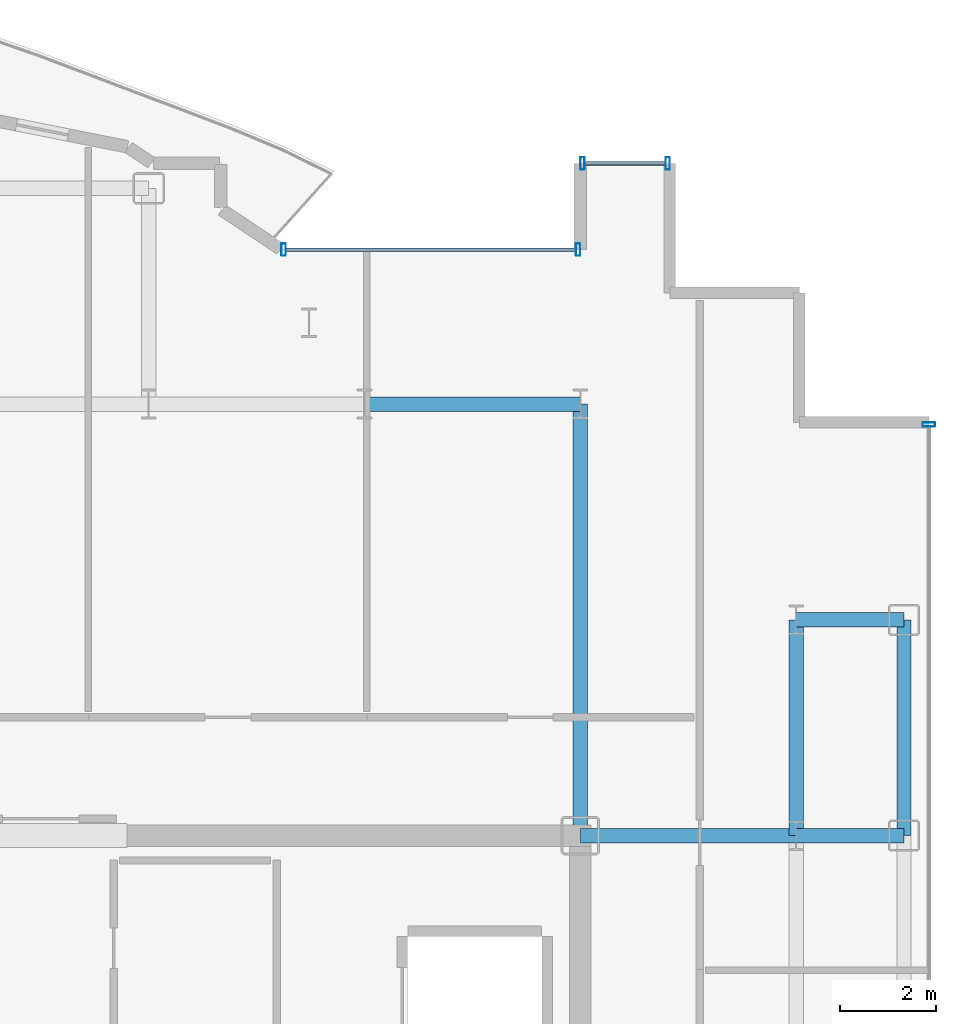
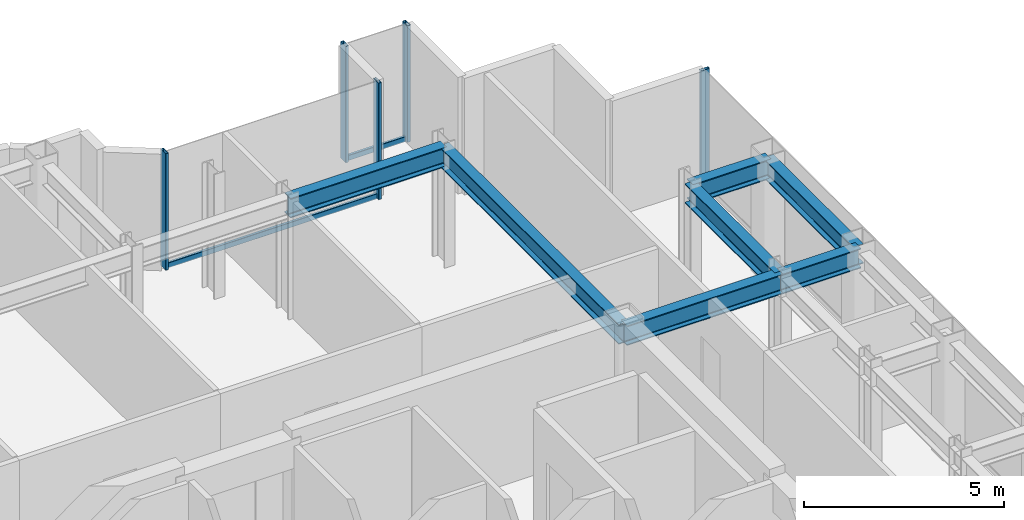
# One storey, part 11 of 18: 7 beams, 7 members, 3 elements without a shape of their own.
"""IFC4 building model written with IfcOpenShell, lengths in metres."""

from ifc_helpers import new_model, si_unit, direction, frame, origin, origin_2d, place, context, subcontext, project, spatial, hollow_rectangle, i_section, extrude, source, transform, mapped, material, layer, layer_set, material_profile, profile_set, type_object, element, aggregate, save


model = new_model("IFC4")

# Units and contexts
model_context = context("Model", 3, precision=1e-05, world=origin(), true_north=direction((0.0, 1.0)))
body_context = subcontext(model_context, "Body", "Model", "MODEL_VIEW")
ifc_project = project(units=[si_unit("LENGTHUNIT", "METRE"), si_unit("AREAUNIT", "SQUARE_METRE"), si_unit("VOLUMEUNIT", "CUBIC_METRE"), si_unit("PLANEANGLEUNIT", "RADIAN"), si_unit("MASSUNIT", "GRAM", prefix="KILO")], contexts=[model_context])

# Site, building, storey
site_placement = place(None, origin())
site = spatial("IfcSite", under=ifc_project, at=site_placement, CompositionType="ELEMENT")
building_placement = place(site_placement, origin())
building = spatial("IfcBuilding", under=site, at=building_placement, Name="Nefas-Gora Pilgrimage Tower", CompositionType="ELEMENT")
storey_placement = place(building_placement, frame((0.0, 0.0, 283.60009765625)))
storey = spatial("IfcBuildingStorey", under=building, at=storey_placement, Name="L71", CompositionType="ELEMENT", Elevation=283.60009765625)

# Beams
ifc_material_1 = material(Name="Steel S355", Category="steel")
ifc_material_profile_1 = material_profile(ifc_material_1, i_section(OverallWidth=0.300048828125, OverallDepth=0.60009765625, WebThickness=0.015380859375, FlangeThickness=0.030029296875, FilletRadius=0.027099609375, at=origin_2d()), Name="HEB 600")
ifc_profile_set_1 = profile_set([ifc_material_profile_1], Name="Steel S355")
beam_type_1 = type_object("IfcBeamType", Name="BM-SPN-HEB450", PredefinedType="SPANDREL", material=ifc_profile_set_1)
shared_shape_1 = source(origin(), body_context, "Body", "SweptSolid", [
    extrude(i_section(OverallWidth=0.300048828125, OverallDepth=0.60009765625, WebThickness=0.015380859375, FlangeThickness=0.030029296875, FilletRadius=0.027099609375, at=origin_2d()), origin(), (0.0, 0.0, 1.0), 4.5),
])
beam_1_placement = place(storey_placement, frame((18.0, 9.0, 3.25), z_axis=(0.0, 1.0, 0.0), x_axis=(-1.0, 0.0, 0.0)))
element("IfcBeam", 1, at=beam_1_placement, inside=storey, type_object=beam_type_1, Name="L71 SP-03 beam", PredefinedType="SPANDREL", context=body_context, shape_type="MappedRepresentation", body=[
    mapped(shared_shape_1, transform((0.0, 0.0, 0.0), x_axis=(1.0, 0.0, 0.0), y_axis=(0.0, 1.0, 0.0), z_axis=(0.0, 0.0, 1.0), scale=1.0)),
])
ifc_material_profile_2 = material_profile(ifc_material_1, i_section(OverallWidth=0.300048828125, OverallDepth=0.60009765625, WebThickness=0.015380859375, FlangeThickness=0.030029296875, FilletRadius=0.027099609375, at=origin_2d()), Name="HEB 600")
ifc_profile_set_2 = profile_set([ifc_material_profile_2], Name="Steel S355")
beam_type_2 = type_object("IfcBeamType", Name="BM-GIR-HEB600", PredefinedType="BEAM", material=ifc_profile_set_2)
shared_shape_2 = source(origin(), body_context, "Body", "SweptSolid", [
    extrude(i_section(OverallWidth=0.300048828125, OverallDepth=0.60009765625, WebThickness=0.015380859375, FlangeThickness=0.030029296875, FilletRadius=0.027099609375, at=origin_2d()), origin(), (0.0, 0.0, 1.0), 9.0),
])
beam_2_placement = place(storey_placement, frame((11.25, 9.0, 3.25), z_axis=(0.0, 1.0, 0.0), x_axis=(-1.0, 0.0, 0.0)))
element("IfcBeam", 2, at=beam_2_placement, inside=storey, type_object=beam_type_2, Name="L71 G-04 beam", PredefinedType="BEAM", context=body_context, shape_type="MappedRepresentation", body=[
    mapped(shared_shape_2, transform((0.0, 0.0, 0.0), x_axis=(1.0, 0.0, 0.0), y_axis=(0.0, 1.0, 0.0), z_axis=(0.0, 0.0, 1.0), scale=1.0)),
])
shared_shape_3 = source(origin(), body_context, "Body", "SweptSolid", [
    extrude(i_section(OverallWidth=0.300048828125, OverallDepth=0.60009765625, WebThickness=0.015380859375, FlangeThickness=0.030029296875, FilletRadius=0.027099609375, at=origin_2d()), origin(), (0.0, 0.0, 1.0), 4.5),
])
for number, where, z_axis, x_axis, name in (
    (3, (6.75, 18.0, 3.25), (1.0, 0.0, 0.0), (0.0, 1.0, 0.0), "L71 G-04 beam"),
    (4, (11.25, 9.0, 3.25), (1.0, 0.0, 0.0), (0.0, 1.0, 0.0), "L71 G-04 beam"),
    (5, (15.75, 9.0, 3.25), (0.0, 1.0, 0.0), (-1.0, 0.0, 0.0), "L71 G-04 beam"),
):
    element("IfcBeam", number, at=place(storey_placement, frame(where, z_axis=z_axis, x_axis=x_axis)), inside=storey, type_object=beam_type_2, Name=name, PredefinedType="BEAM", context=body_context, shape_type="MappedRepresentation", body=[
        mapped(shared_shape_3, transform((0.0, 0.0, 0.0), x_axis=(1.0, 0.0, 0.0), y_axis=(0.0, 1.0, 0.0), z_axis=(0.0, 0.0, 1.0), scale=1.0)),
    ])
shared_shape_4 = source(origin(), body_context, "Body", "SweptSolid", [
    extrude(i_section(OverallWidth=0.300048828125, OverallDepth=0.60009765625, WebThickness=0.015380859375, FlangeThickness=0.030029296875, FilletRadius=0.027099609375, at=origin_2d()), origin(), (0.0, 0.0, 1.0), 2.25),
])
for number, where, z_axis, x_axis, name in (
    (6, (15.75, 9.0, 3.25), (1.0, 0.0, 0.0), (0.0, 1.0, 0.0), "L71 G-04 beam"),
    (7, (15.75, 13.5, 3.25), (1.0, 0.0, 0.0), (0.0, 1.0, 0.0), "L71 G-04 beam"),
):
    element("IfcBeam", number, at=place(storey_placement, frame(where, z_axis=z_axis, x_axis=x_axis)), inside=storey, type_object=beam_type_2, Name=name, PredefinedType="BEAM", context=body_context, shape_type="MappedRepresentation", body=[
        mapped(shared_shape_4, transform((0.0, 0.0, 0.0), x_axis=(1.0, 0.0, 0.0), y_axis=(0.0, 1.0, 0.0), z_axis=(0.0, 0.0, 1.0), scale=1.0)),
    ])

# Curtain wall, members
ifc_material_2 = material(Name="Dark ceramic-fritted solar-control aluminium-glass curtain wall", Category="aluminium")
ifc_layer_1 = layer(ifc_material_2, 0.219970703125)
ifc_layer_set_1 = layer_set([ifc_layer_1], Name="Dark ceramic-fritted solar-control aluminium-glass curtain wall")
curtain_wall_type_1 = type_object("IfcCurtainWallType", Name="CW-SYS-5", PredefinedType="NOTDEFINED", material=ifc_layer_set_1)
curtain_wall_1_placement = place(storey_placement, origin())
curtain_wall_1 = element("IfcCurtainWall", 8, at=curtain_wall_1_placement, inside=storey, type_object=curtain_wall_type_1, Name="L71 Unitised Curtain Wall CW5", PredefinedType="NOTDEFINED")
ifc_material_3 = material(Name="Anodised architectural aluminium", Category="aluminium")
ifc_material_profile_3 = material_profile(ifc_material_3, hollow_rectangle(XDim=0.080078125, YDim=0.159912109375, WallThickness=0.00439453125, InnerFilletRadius=0.00439453125, OuterFilletRadius=0.009033203125, at=origin_2d()), Name="ALU TRANSOM 80x160")
ifc_profile_set_3 = profile_set([ifc_material_profile_3], Name="Anodised architectural aluminium")
member_type_1 = type_object("IfcMemberType", Name="CWM-TRN-5", PredefinedType="USERDEFINED", material=ifc_profile_set_3)
shared_shape_5 = source(origin(), body_context, "Body", "SweptSolid", [
    extrude(hollow_rectangle(XDim=0.080078125, YDim=0.159912109375, WallThickness=0.00439453125, InnerFilletRadius=0.00439453125, OuterFilletRadius=0.009033203125, at=origin_2d()), origin(), (0.0, 0.0, 1.0), 6.052001953125),
])
member_1_placement = place(storey_placement, frame((11.159912109375, 21.219970703125, 0.0498046875), z_axis=(-1.0, 0.0, 0.0), x_axis=(0.0, -1.0, 0.0)))
member_1 = element("IfcMember", 9, at=member_1_placement, type_object=member_type_1, Name="CW5 Spandrel Transom", ObjectType="TRANSOM", PredefinedType="USERDEFINED", context=body_context, shape_type="MappedRepresentation", body=[
    mapped(shared_shape_5, transform((0.0, 0.0, 0.0), x_axis=(1.0, 0.0, 0.0), y_axis=(0.0, 1.0, 0.0), z_axis=(0.0, 0.0, 1.0), scale=1.0)),
])
ifc_material_profile_4 = material_profile(ifc_material_3, hollow_rectangle(XDim=0.090087890625, YDim=0.260009765625, WallThickness=0.006103515625, InnerFilletRadius=0.006103515625, OuterFilletRadius=0.011962890625, at=origin_2d()), Name="ALU MULLION 90x260")
ifc_profile_set_4 = profile_set([ifc_material_profile_4], Name="Anodised architectural aluminium")
member_type_2 = type_object("IfcMemberType", Name="CWM-MUL-5", PredefinedType="MULLION", material=ifc_profile_set_4)
shared_shape_6 = source(origin(), body_context, "Body", "SweptSolid", [
    extrude(hollow_rectangle(XDim=0.090087890625, YDim=0.260009765625, WallThickness=0.006103515625, InnerFilletRadius=0.006103515625, OuterFilletRadius=0.011962890625, at=origin_2d()), origin(), (0.0, 0.0, 1.0), 3.5498046875),
])
member_2_placement = place(storey_placement, frame((11.205078125, 21.219970703125, 0.0), z_axis=(0.0, 0.0, 1.0), x_axis=(-1.0, 0.0, 0.0)))
member_2 = element("IfcMember", 10, at=member_2_placement, type_object=member_type_2, Name="CW5 Mullion 1", PredefinedType="MULLION", context=body_context, shape_type="MappedRepresentation", body=[
    mapped(shared_shape_6, transform((0.0, 0.0, 0.0), x_axis=(1.0, 0.0, 0.0), y_axis=(0.0, 1.0, 0.0), z_axis=(0.0, 0.0, 1.0), scale=1.0)),
])
member_3_placement = place(storey_placement, frame((5.06298828125, 21.219970703125, 0.0), z_axis=(0.0, 0.0, 1.0), x_axis=(-1.0, 0.0, 0.0)))
member_3 = element("IfcMember", 11, at=member_3_placement, type_object=member_type_2, Name="CW5 Mullion 2", PredefinedType="MULLION", context=body_context, shape_type="MappedRepresentation", body=[
    mapped(shared_shape_6, transform((0.0, 0.0, 0.0), x_axis=(1.0, 0.0, 0.0), y_axis=(0.0, 1.0, 0.0), z_axis=(0.0, 0.0, 1.0), scale=1.0)),
])
aggregate(curtain_wall_1, [member_2, member_3, member_1])

# Curtain wall, member
ifc_layer_2 = layer(ifc_material_2, 0.219970703125)
ifc_layer_set_2 = layer_set([ifc_layer_2], Name="Dark ceramic-fritted solar-control aluminium-glass curtain wall")
curtain_wall_type_2 = type_object("IfcCurtainWallType", Name="CW-SYS-4", PredefinedType="NOTDEFINED", material=ifc_layer_set_2)
curtain_wall_2_placement = place(storey_placement, origin())
curtain_wall_2 = element("IfcCurtainWall", 12, at=curtain_wall_2_placement, inside=storey, type_object=curtain_wall_type_2, Name="L71 Unitised Curtain Wall CW4", PredefinedType="NOTDEFINED")
ifc_material_profile_5 = material_profile(ifc_material_3, hollow_rectangle(XDim=0.090087890625, YDim=0.260009765625, WallThickness=0.006103515625, InnerFilletRadius=0.006103515625, OuterFilletRadius=0.011962890625, at=origin_2d()), Name="ALU MULLION 90x260")
ifc_profile_set_5 = profile_set([ifc_material_profile_5], Name="Anodised architectural aluminium")
member_type_3 = type_object("IfcMemberType", Name="CWM-MUL-4", PredefinedType="MULLION", material=ifc_profile_set_5)
shared_shape_7 = source(origin(), body_context, "Body", "SweptSolid", [
    extrude(hollow_rectangle(XDim=0.090087890625, YDim=0.260009765625, WallThickness=0.006103515625, InnerFilletRadius=0.006103515625, OuterFilletRadius=0.011962890625, at=origin_2d()), origin(), (0.0, 0.0, 1.0), 3.5498046875),
])
member_4_placement = place(storey_placement, frame((18.52001953125, 17.574951171875, 0.0), z_axis=(0.0, 0.0, 1.0), x_axis=(0.0, 1.0, 0.0)))
member_4 = element("IfcMember", 13, at=member_4_placement, type_object=member_type_3, Name="CW4 Mullion 3", PredefinedType="MULLION", context=body_context, shape_type="MappedRepresentation", body=[
    mapped(shared_shape_7, transform((0.0, 0.0, 0.0), x_axis=(1.0, 0.0, 0.0), y_axis=(0.0, 1.0, 0.0), z_axis=(0.0, 0.0, 1.0), scale=1.0)),
])
aggregate(curtain_wall_2, [member_4])

# Curtain wall, members
curtain_wall_3_placement = place(storey_placement, origin())
curtain_wall_3 = element("IfcCurtainWall", 14, at=curtain_wall_3_placement, inside=storey, type_object=curtain_wall_type_2, Name="L71 Unitised Curtain Wall CW4", PredefinedType="NOTDEFINED")
member_5_placement = place(storey_placement, frame((13.074951171875, 23.02001953125, 0.0), z_axis=(0.0, 0.0, 1.0), x_axis=(-1.0, 0.0, 0.0)))
member_5 = element("IfcMember", 15, at=member_5_placement, type_object=member_type_3, Name="CW4 Mullion 1", PredefinedType="MULLION", context=body_context, shape_type="MappedRepresentation", body=[
    mapped(shared_shape_7, transform((0.0, 0.0, 0.0), x_axis=(1.0, 0.0, 0.0), y_axis=(0.0, 1.0, 0.0), z_axis=(0.0, 0.0, 1.0), scale=1.0)),
])
member_6_placement = place(storey_placement, frame((11.294921875, 23.02001953125, 0.0), z_axis=(0.0, 0.0, 1.0), x_axis=(-1.0, 0.0, 0.0)))
member_6 = element("IfcMember", 16, at=member_6_placement, type_object=member_type_3, Name="CW4 Mullion 2", PredefinedType="MULLION", context=body_context, shape_type="MappedRepresentation", body=[
    mapped(shared_shape_7, transform((0.0, 0.0, 0.0), x_axis=(1.0, 0.0, 0.0), y_axis=(0.0, 1.0, 0.0), z_axis=(0.0, 0.0, 1.0), scale=1.0)),
])
ifc_material_profile_6 = material_profile(ifc_material_3, hollow_rectangle(XDim=0.080078125, YDim=0.159912109375, WallThickness=0.00439453125, InnerFilletRadius=0.00439453125, OuterFilletRadius=0.009033203125, at=origin_2d()), Name="ALU TRANSOM 80x160")
ifc_profile_set_6 = profile_set([ifc_material_profile_6], Name="Anodised architectural aluminium")
member_type_4 = type_object("IfcMemberType", Name="CWM-TRN-4", PredefinedType="USERDEFINED", material=ifc_profile_set_6)
shared_shape_8 = source(origin(), body_context, "Body", "SweptSolid", [
    extrude(hollow_rectangle(XDim=0.080078125, YDim=0.159912109375, WallThickness=0.00439453125, InnerFilletRadius=0.00439453125, OuterFilletRadius=0.009033203125, at=origin_2d()), origin(), (0.0, 0.0, 1.0), 1.68994140625),
])
member_7_placement = place(storey_placement, frame((13.030029296875, 23.02001953125, 0.0498046875), z_axis=(-1.0, 0.0, 0.0), x_axis=(0.0, -1.0, 0.0)))
member_7 = element("IfcMember", 17, at=member_7_placement, type_object=member_type_4, Name="CW4 Spandrel Transom", ObjectType="TRANSOM", PredefinedType="USERDEFINED", context=body_context, shape_type="MappedRepresentation", body=[
    mapped(shared_shape_8, transform((0.0, 0.0, 0.0), x_axis=(1.0, 0.0, 0.0), y_axis=(0.0, 1.0, 0.0), z_axis=(0.0, 0.0, 1.0), scale=1.0)),
])
aggregate(curtain_wall_3, [member_5, member_6, member_7])

save(model, "model.ifc")
